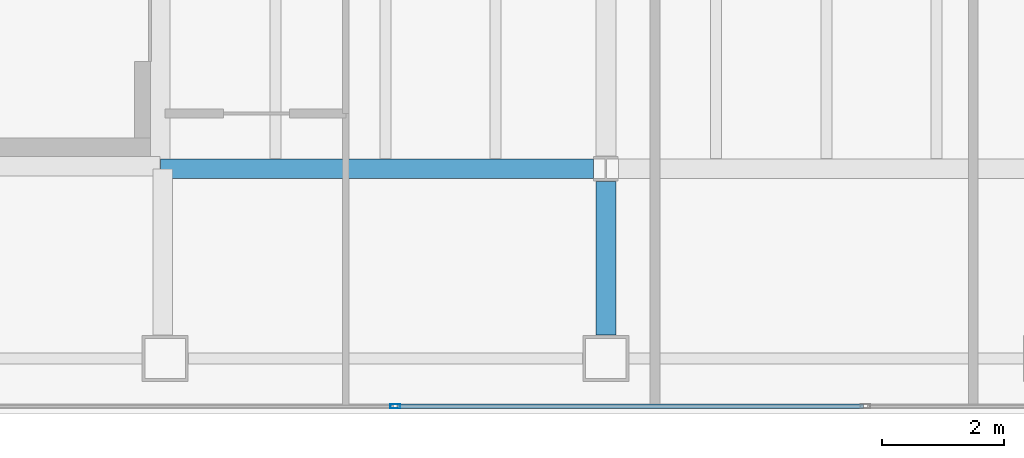
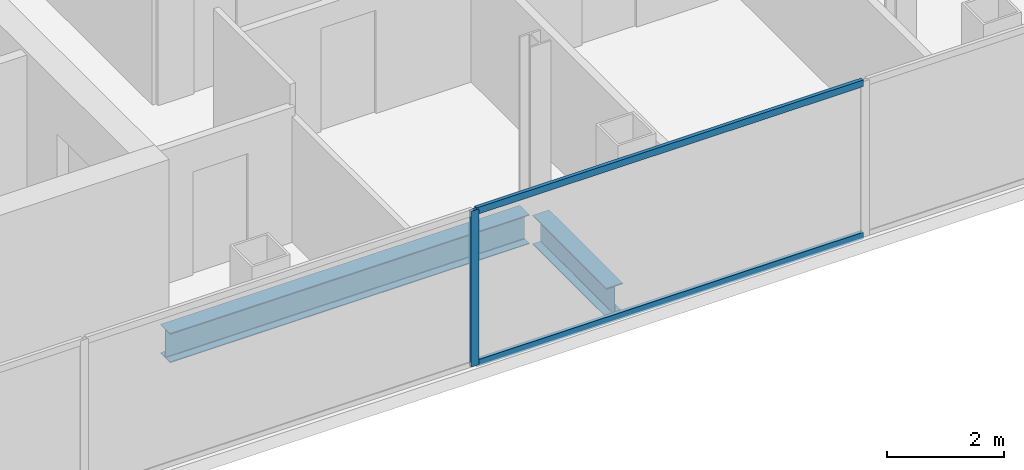
# One storey, part 4 of 23: 3 members, 2 beams, 1 element without a shape of its own.
"""IFC4 building model written with IfcOpenShell, lengths in metres."""

from ifc_helpers import new_model, si_unit, direction, frame, origin, origin_2d, place, context, subcontext, project, spatial, hollow_rectangle, i_section, extrude, material, material_profile, profile_set, type_object, element, aggregate, save


model = new_model("IFC4")

# Units and contexts
model_context = context("Model", 3, precision=1e-05, world=origin(), true_north=direction((0.0, 1.0)))
body_context = subcontext(model_context, "Body", "Model", "MODEL_VIEW")
ifc_project = project(units=[si_unit("LENGTHUNIT", "METRE"), si_unit("AREAUNIT", "SQUARE_METRE"), si_unit("VOLUMEUNIT", "CUBIC_METRE"), si_unit("PLANEANGLEUNIT", "RADIAN"), si_unit("MASSUNIT", "GRAM", prefix="KILO")], contexts=[model_context])

# Site, building, storey
site_placement = place(None, origin())
site = spatial("IfcSite", under=ifc_project, at=site_placement, CompositionType="ELEMENT")
building_placement = place(site_placement, origin())
building = spatial("IfcBuilding", under=site, at=building_placement, Name="Cobrela Telecom Tower", CompositionType="ELEMENT")
storey_placement = place(building_placement, frame((0.0, 0.0, 222.25)))
storey = spatial("IfcBuildingStorey", under=building, at=storey_placement, Name="L57", CompositionType="ELEMENT", Elevation=222.25)

# Beams
ifc_material_1 = material(Name="Steel ASTM A992 Grade 50", Category="steel")
ifc_material_profile_1 = material_profile(ifc_material_1, i_section(OverallWidth=0.324951171875, OverallDepth=0.612060546875, WebThickness=0.0126953125, FlangeThickness=0.01904296875, FilletRadius=0.014892578125, at=origin_2d()), Name="W24X104")
ifc_profile_set_1 = profile_set([ifc_material_profile_1], Name="Steel ASTM A992 Grade 50")
beam_type = type_object("IfcBeamType", Name="BM-GIRD-07", PredefinedType="USERDEFINED", material=ifc_profile_set_1)
beam_1_placement = place(storey_placement, frame((14.324951171875, 7.199951171875, -0.56591796875), z_axis=(1.0, 0.0, 0.0), x_axis=(0.0, 1.0, 0.0)))
element("IfcBeam", 1, at=beam_1_placement, inside=storey, type_object=beam_type, Name="L57 Primary Girder X07", ObjectType="GIRDER", PredefinedType="USERDEFINED", context=body_context, shape_type="SweptSolid", body=[
    extrude(i_section(OverallWidth=0.324951171875, OverallDepth=0.612060546875, WebThickness=0.0126953125, FlangeThickness=0.01904296875, FilletRadius=0.014892578125, at=origin_2d()), origin(), (0.0, 0.0, 1.0), 7.070556640625),
])
beam_2_placement = place(storey_placement, frame((21.60009765625, 4.47998046875, -0.56591796875), z_axis=(0.0, 1.0, 0.0), x_axis=(-1.0, 0.0, 0.0)))
element("IfcBeam", 2, at=beam_2_placement, inside=storey, type_object=beam_type, Name="L57 Primary Girder Y32", ObjectType="GIRDER", PredefinedType="USERDEFINED", context=body_context, shape_type="SweptSolid", body=[
    extrude(i_section(OverallWidth=0.324951171875, OverallDepth=0.612060546875, WebThickness=0.0126953125, FlangeThickness=0.01904296875, FilletRadius=0.014892578125, at=origin_2d()), origin(), (0.0, 0.0, 1.0), 2.515625),
])

# Curtain wall, members
ifc_material_2 = material(Name="Anodized Bronze Aluminium 6063-T6", Category="aluminium")
curtain_wall_type = type_object("IfcCurtainWallType", Name="CW-SYS-OFF-LO", PredefinedType="USERDEFINED", material=ifc_material_2)
curtain_wall_placement = place(storey_placement, origin())
curtain_wall = element("IfcCurtainWall", 3, at=curtain_wall_placement, inside=storey, type_object=curtain_wall_type, Name="L57 Unitised Bronze Curtain Wall 17", ObjectType="UNITISED CURTAIN WALL", PredefinedType="USERDEFINED")
ifc_material_profile_2 = material_profile(ifc_material_2, hollow_rectangle(XDim=0.070068359375, YDim=0.159912109375, WallThickness=0.00390625, at=origin_2d()), Name="ALU 70x160x4")
ifc_profile_set_2 = profile_set([ifc_material_profile_2], Name="Anodized Bronze Aluminium 6063-T6")
member_type_1 = type_object("IfcMemberType", Name="CW-SYS-OFF-LO-MUL", PredefinedType="MULLION", material=ifc_profile_set_2)
member_1_placement = place(storey_placement, frame((18.157958984375, 3.320068359375, 0.0), z_axis=(0.0, 0.0, 1.0), x_axis=(0.0, -1.0, 0.0)))
member_1 = element("IfcMember", 4, at=member_1_placement, type_object=member_type_1, Name="CW-OFF-LO mullion 4", PredefinedType="MULLION", context=body_context, shape_type="SweptSolid", body=[
    extrude(hollow_rectangle(XDim=0.070068359375, YDim=0.159912109375, WallThickness=0.00390625, at=origin_2d()), origin(), (0.0, 0.0, 1.0), 3.239990234375),
])
ifc_material_profile_3 = material_profile(ifc_material_2, hollow_rectangle(XDim=0.070068359375, YDim=0.139892578125, WallThickness=0.00390625, at=origin_2d()), Name="ALU 70x140x4")
ifc_profile_set_3 = profile_set([ifc_material_profile_3], Name="Anodized Bronze Aluminium 6063-T6")
member_type_2 = type_object("IfcMemberType", Name="CW-SYS-OFF-LO-TRN", PredefinedType="USERDEFINED", material=ifc_profile_set_3)
member_2_placement = place(storey_placement, frame((25.806884765625, 3.320068359375, 0.034912109375), z_axis=(-1.0, 0.0, 0.0), x_axis=(0.0, -1.0, 0.0)))
member_2 = element("IfcMember", 5, at=member_2_placement, type_object=member_type_2, Name="CW-OFF-LO transom 3.1", ObjectType="TRANSOM", PredefinedType="USERDEFINED", context=body_context, shape_type="SweptSolid", body=[
    extrude(hollow_rectangle(XDim=0.070068359375, YDim=0.139892578125, WallThickness=0.00390625, at=origin_2d()), origin(), (0.0, 0.0, 1.0), 7.61376953125),
])
member_3_placement = place(storey_placement, frame((25.806884765625, 3.320068359375, 3.205078125), z_axis=(-1.0, 0.0, 0.0), x_axis=(0.0, -1.0, 0.0)))
member_3 = element("IfcMember", 6, at=member_3_placement, type_object=member_type_2, Name="CW-OFF-LO transom 3.2", ObjectType="TRANSOM", PredefinedType="USERDEFINED", context=body_context, shape_type="SweptSolid", body=[
    extrude(hollow_rectangle(XDim=0.070068359375, YDim=0.139892578125, WallThickness=0.00390625, at=origin_2d()), origin(), (0.0, 0.0, 1.0), 7.61376953125),
])
aggregate(curtain_wall, [member_1, member_2, member_3])

save(model, "model.ifc")
